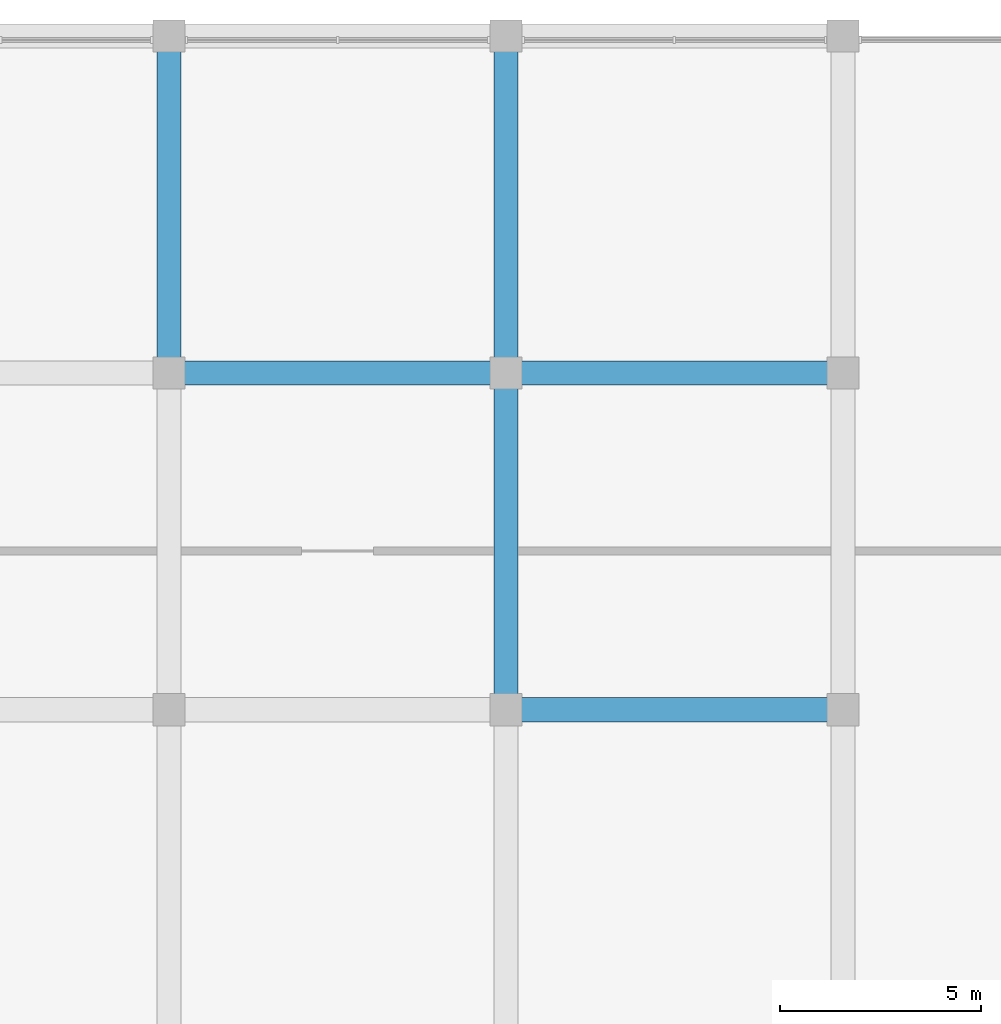
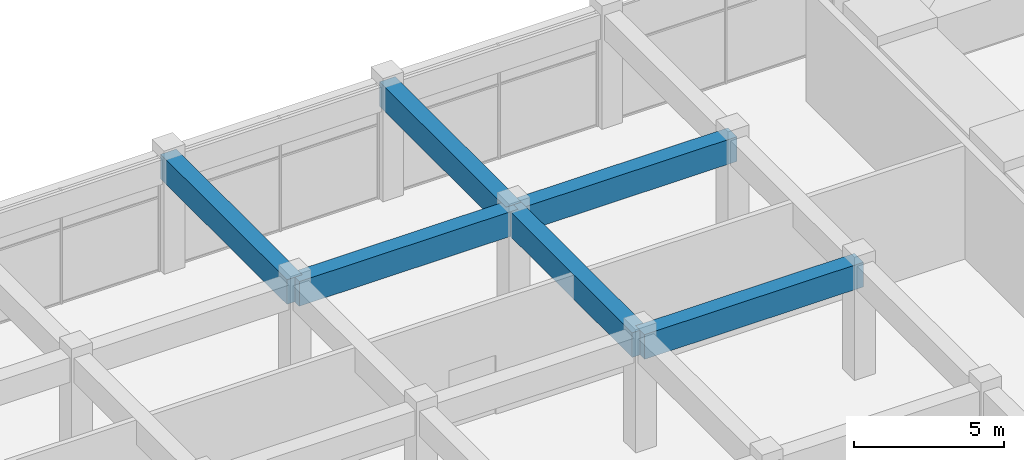
# One storey, part 18 of 33: 6 beams.
"""IFC4 building model written with IfcOpenShell, lengths in metres."""

from ifc_helpers import new_model, si_unit, direction, frame, origin, origin_2d, place, context, subcontext, project, spatial, rectangle, extrude, material, material_profile, profile_set, type_object, element, save


model = new_model("IFC4")

# Units and contexts
model_context = context("Model", 3, precision=1e-05, world=origin(), true_north=direction((0.0, 1.0)))
body_context = subcontext(model_context, "Body", "Model", "MODEL_VIEW")
ifc_project = project(units=[si_unit("LENGTHUNIT", "METRE"), si_unit("AREAUNIT", "SQUARE_METRE"), si_unit("VOLUMEUNIT", "CUBIC_METRE"), si_unit("PLANEANGLEUNIT", "RADIAN"), si_unit("MASSUNIT", "GRAM", prefix="KILO")], contexts=[model_context])

# Site, building, storey
site_placement = place(None, origin())
site = spatial("IfcSite", under=ifc_project, at=site_placement, CompositionType="ELEMENT")
building_placement = place(site_placement, origin())
building = spatial("IfcBuilding", under=site, at=building_placement, Name="Impinga Residences", CompositionType="ELEMENT")
storey_placement = place(building_placement, frame((0.0, 0.0, 21.0)))
storey = spatial("IfcBuildingStorey", under=building, at=storey_placement, Name="L04", CompositionType="ELEMENT", Elevation=21.0)

# Beams
ifc_material = material(Name="Concrete C60/75", Category="concrete")
ifc_material_profile = material_profile(ifc_material, rectangle(XDim=0.60009765625, YDim=1.0, at=origin_2d()), Name="RC 600x1000")
ifc_profile_set = profile_set([ifc_material_profile], Name="Concrete C60/75")
beam_type = type_object("IfcBeamType", Name="PB2 600x1000 podium beam", PredefinedType="BEAM", material=ifc_profile_set)
beam_1_placement = place(storey_placement, frame((-25.199951171875, 33.60009765625, 4.10009765625), z_axis=(1.0, 0.0, 0.0), x_axis=(0.0, 1.0, 0.0)))
element("IfcBeam", 1, at=beam_1_placement, inside=storey, type_object=beam_type, Name="Beam PB2 K/4-5 level L05", PredefinedType="BEAM", context=body_context, shape_type="SweptSolid", body=[
    extrude(rectangle(XDim=0.60009765625, YDim=1.0, at=origin_2d()), origin(), (0.0, 0.0, 1.0), 8.39990234375),
])
beam_2_placement = place(storey_placement, frame((-33.60009765625, 42.0, 4.10009765625), z_axis=(1.0, 0.0, 0.0), x_axis=(0.0, 1.0, 0.0)))
element("IfcBeam", 2, at=beam_2_placement, inside=storey, type_object=beam_type, Name="Beam PB2 L/3-4 level L05", PredefinedType="BEAM", context=body_context, shape_type="SweptSolid", body=[
    extrude(rectangle(XDim=0.60009765625, YDim=1.0, at=origin_2d()), origin(), (0.0, 0.0, 1.0), 8.400146484375),
])
for number, where, z_axis, x_axis, name in (
    (3, (-25.199951171875, 42.0, 4.10009765625), (1.0, 0.0, 0.0), (0.0, 1.0, 0.0), "Beam PB2 L/4-5 level L05"),
    (4, (-33.60009765625, 42.0, 4.10009765625), (0.0, 1.0, 0.0), (-1.0, 0.0, 0.0), "Beam PB2 3/L-M level L05"),
    (5, (-25.199951171875, 33.60009765625, 4.10009765625), (0.0, 1.0, 0.0), (-1.0, 0.0, 0.0), "Beam PB2 4/K-L level L05"),
    (6, (-25.199951171875, 42.0, 4.10009765625), (0.0, 1.0, 0.0), (-1.0, 0.0, 0.0), "Beam PB2 4/L-M level L05"),
):
    element("IfcBeam", number, at=place(storey_placement, frame(where, z_axis=z_axis, x_axis=x_axis)), inside=storey, type_object=beam_type, Name=name, PredefinedType="BEAM", context=body_context, shape_type="SweptSolid", body=[
        extrude(rectangle(XDim=0.60009765625, YDim=1.0, at=origin_2d()), origin(), (0.0, 0.0, 1.0), 8.39990234375),
    ])

save(model, "model.ifc")
